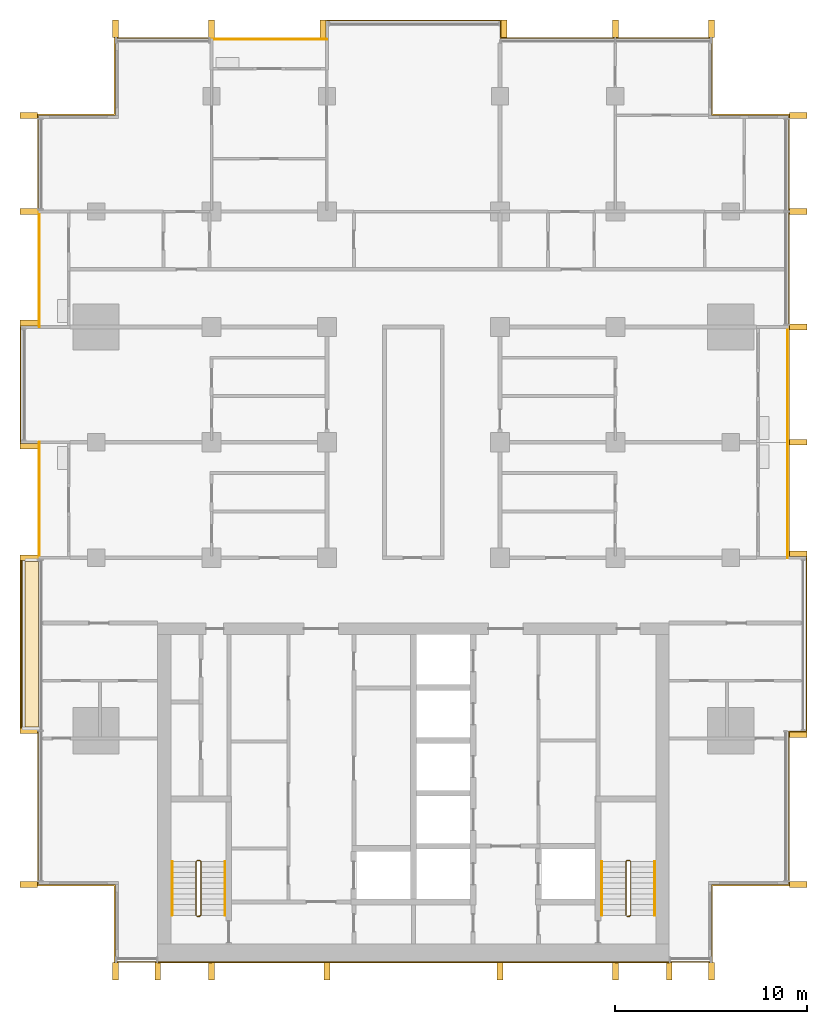
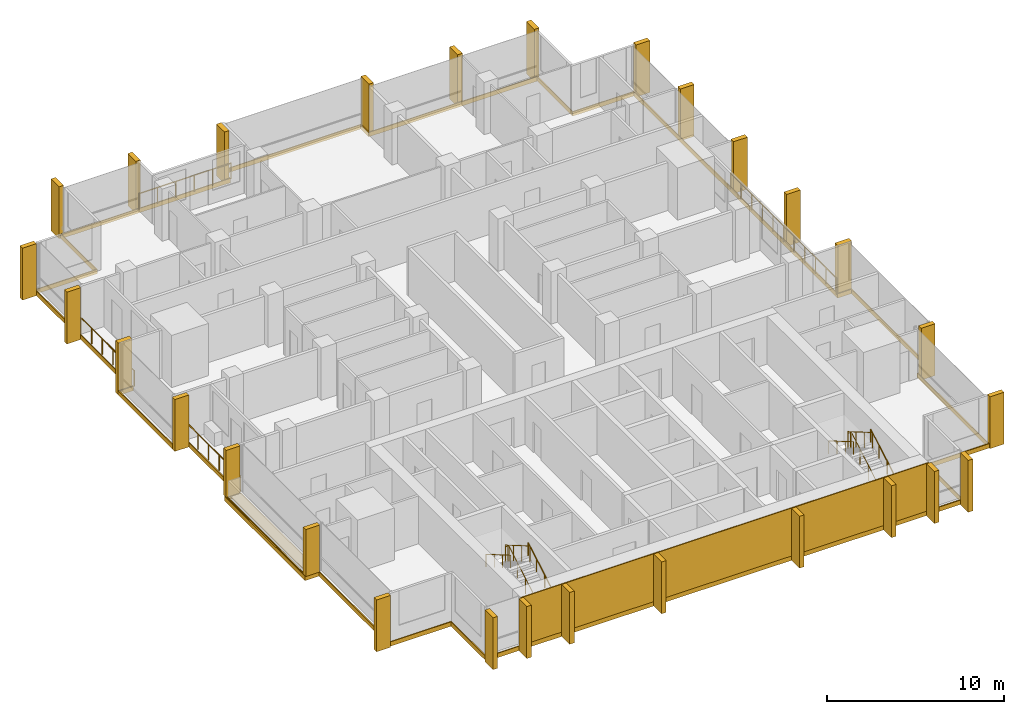
# One storey, part 17 of 17: 28 shading devices, 11 railings, 8 coverings.
"""IFC4 building model written with IfcOpenShell, lengths in metres."""

import ifcopenshell
import ifcopenshell.guid

model = None  # the IFC model being written
_history = None  # IfcOwnerHistory: only IFC2X3 demands one
_inside = {}  # id of a spatial element -> (the spatial element, [elements in it])
_under = {}  # id of a project, library or spatial element -> (it, [spatial elements below it])
_declared = {}  # id of a project -> (the project, [libraries it declares])
_typed = {}  # id of a type object -> (the type object, [elements of that type])
_made_of = {}  # id of a material, layer set ... -> (it, [elements and type objects made of it])


def new_model(schema):
    """Start an empty IFC model of exactly this schema.

    Asked for "IFC4X3", IfcOpenShell would pick the latest addendum, in which some entities
    have other attributes; the version numbers below select the first issue.
    IFC2X3 requires an IfcOwnerHistory on every rooted entity: one is made here for all.
    """
    global model, _history
    if schema == "IFC4X3":
        model = ifcopenshell.file(schema_version=(4, 3, 0, 0))
    else:
        model = ifcopenshell.file(schema=schema)
    _inside.clear()
    _under.clear()
    _declared.clear()
    _typed.clear()
    _made_of.clear()
    _history = None
    if model.schema == "IFC2X3":
        org = make("IfcOrganization", Name="unknown")
        user = make(
            "IfcPersonAndOrganization",
            ThePerson=make("IfcPerson", FamilyName="unknown"),
            TheOrganization=org,
        )
        app = make(
            "IfcApplication",
            ApplicationDeveloper=org,
            Version="unknown",
            ApplicationFullName="unknown",
            ApplicationIdentifier="unknown",
        )
        _history = make(
            "IfcOwnerHistory",
            OwningUser=user,
            OwningApplication=app,
            ChangeAction="ADDED",
            CreationDate=0,
        )
    return model


def make(cls, **values):
    """One entity of the class cls with the attributes given. An attribute that is None is left unset."""
    return model.create_entity(
        cls, **{name: value for name, value in values.items() if value is not None}
    )


def rooted(cls, **values):
    """An entity with a GlobalId (a new one), such as an element, a storey or a relation."""
    return make(cls, GlobalId=ifcopenshell.guid.new(), OwnerHistory=_history, **values)


def si_unit(unit_type, name, prefix=None):
    """IfcSIUnit, for example si_unit("LENGTHUNIT", "METRE", prefix="MILLI")."""
    return make("IfcSIUnit", UnitType=unit_type, Prefix=prefix, Name=name)


def assignment(units):
    """IfcUnitAssignment: the units of a project."""
    return None if units is None else make("IfcUnitAssignment", Units=units)


def point(xyz):
    """IfcCartesianPoint."""
    return None if xyz is None else make("IfcCartesianPoint", Coordinates=xyz)


def direction(xyz):
    """IfcDirection."""
    return None if xyz is None else make("IfcDirection", DirectionRatios=xyz)


def frame(location, z_axis=None, x_axis=None):
    """IfcAxis2Placement3D, a coordinate frame: its origin and axes. An axis left out is left unset."""
    return make(
        "IfcAxis2Placement3D",
        Location=point(location),
        Axis=direction(z_axis),
        RefDirection=direction(x_axis),
    )


def frame_2d(location, x_axis=None):
    """IfcAxis2Placement2D, a coordinate frame in the plane: its origin and x axis."""
    return make(
        "IfcAxis2Placement2D", Location=point(location), RefDirection=direction(x_axis)
    )


def origin():
    """The frame at (0, 0, 0) with its axes left unset."""
    return frame((0.0, 0.0, 0.0))


def origin_2d():
    """The frame at (0, 0) in the plane with its x axis left unset."""
    return frame_2d((0.0, 0.0))


def place(relative_to, where):
    """IfcLocalPlacement: puts the frame where relative to a parent placement (None: the world)."""
    return make(
        "IfcLocalPlacement", PlacementRelTo=relative_to, RelativePlacement=where
    )


def context(
    kind, dimensions, precision=None, world=None, true_north=None, identifier=None
):
    """IfcGeometricRepresentationContext, for example the 3D "Model" context."""
    return make(
        "IfcGeometricRepresentationContext",
        ContextIdentifier=identifier,
        ContextType=kind,
        CoordinateSpaceDimension=dimensions,
        Precision=precision,
        WorldCoordinateSystem=world,
        TrueNorth=true_north,
    )


def subcontext(parent, identifier, kind, view, scale=None):
    """IfcGeometricRepresentationSubContext, for example "Body" below "Model"."""
    return make(
        "IfcGeometricRepresentationSubContext",
        ContextIdentifier=identifier,
        ContextType=kind,
        ParentContext=parent,
        TargetScale=scale,
        TargetView=view,
    )


def project(units=None, contexts=None):
    """IfcProject with its units and contexts."""
    return rooted(
        "IfcProject",
        Name="project",
        RepresentationContexts=contexts,
        UnitsInContext=assignment(units),
    )


def spatial(cls, under=None, at=None, **own):
    """A site, building, storey or space (cls), placed at a placement, below another one or the project."""
    s = rooted(cls, ObjectPlacement=at, **own)
    if under is not None:
        _under.setdefault(under.id(), (under, []))[1].append(s)
    return s


def polyline(points):
    """IfcPolyline through the points."""
    return make("IfcPolyline", Points=[point(p) for p in points])


def profile(cls, at=None, kind="AREA", **sizes):
    """A parametric profile (cls). Its sizes go by their IFC names, for example OverallWidth=200.0."""
    return make(cls, ProfileType=kind, Position=at, **sizes)


def rectangle(**sizes):
    """IfcRectangleProfileDef."""
    return profile("IfcRectangleProfileDef", **sizes)


def circle(**sizes):
    """IfcCircleProfileDef."""
    return profile("IfcCircleProfileDef", **sizes)


def outline(outer, holes=None, kind="AREA"):
    """IfcArbitraryClosedProfileDef: a profile drawn as a closed curve; with holes, ...WithVoids."""
    if holes is None:
        return make("IfcArbitraryClosedProfileDef", ProfileType=kind, OuterCurve=outer)
    return make(
        "IfcArbitraryProfileDefWithVoids",
        ProfileType=kind,
        OuterCurve=outer,
        InnerCurves=holes,
    )


def extrude(swept, where, along, depth):
    """IfcExtrudedAreaSolid: the profile swept, set in the frame where, extruded along a direction by depth."""
    return make(
        "IfcExtrudedAreaSolid",
        SweptArea=swept,
        Position=where,
        ExtrudedDirection=direction(along),
        Depth=depth,
    )


def shape(context_of_items, identifier, shape_type, items):
    """IfcShapeRepresentation: the items that make up one representation, for example the "Body"."""
    return make(
        "IfcShapeRepresentation",
        ContextOfItems=context_of_items,
        RepresentationIdentifier=identifier,
        RepresentationType=shape_type,
        Items=items,
    )


def material(Name=None, Category=None):
    """IfcMaterial."""
    return make("IfcMaterial", Name=Name, Category=Category)


def layer(
    of_material, thickness, ventilated=None, Name=None, Category=None, Priority=None
):
    """IfcMaterialLayer: one layer of a wall or slab, of a material (None: an air gap)."""
    return make(
        "IfcMaterialLayer",
        Material=of_material,
        LayerThickness=thickness,
        IsVentilated=ventilated,
        Name=Name,
        Category=Category,
        Priority=Priority,
    )


def layer_set(layers, Name=None):
    """IfcMaterialLayerSet."""
    return make("IfcMaterialLayerSet", MaterialLayers=layers, LayerSetName=Name)


def made_of(thing, what):
    """Note that an element or type object is made of a material, layer set ...; save() writes the relation."""
    if what is not None:
        _made_of.setdefault(what.id(), (what, []))[1].append(thing)
    return thing


def type_object(cls, material=None, **own):
    """A type object (cls), such as IfcWallType, which elements share."""
    return made_of(rooted(cls, **own), material)


def element(
    cls,
    number,
    at=None,
    inside=None,
    cuts=None,
    type_object=None,
    material=None,
    context=None,
    identifier="Body",
    shape_type=None,
    held_by="IfcProductDefinitionShape",
    body=None,
    shapes=None,
    **own,
):
    """One element of the class cls, such as IfcWall. Its Tag is "e" and its number.

    at: its placement. inside: the storey or other place that contains it. cuts: it is an
    opening in that element (IfcRelVoidsElement). A single representation is given by context,
    identifier, shape_type and body (its items); several are given by shapes. held_by: the class
    of the entity that holds the representations. save() writes the other relations.
    """
    e = rooted(cls, Tag="e%d" % number, ObjectPlacement=at, **own)
    if body is not None:
        shapes = [shape(context, identifier, shape_type, body)]
    if shapes is not None:
        e.Representation = make(held_by, Representations=shapes)
    if inside is not None:
        _inside.setdefault(inside.id(), (inside, []))[1].append(e)
    if cuts is not None:
        rooted(
            "IfcRelVoidsElement", RelatingBuildingElement=cuts, RelatedOpeningElement=e
        )
    if type_object is not None:
        _typed.setdefault(type_object.id(), (type_object, []))[1].append(e)
    return made_of(e, material)


def aggregate(whole, parts):
    """IfcRelAggregates: a whole, such as a stair, and the parts it consists of."""
    return rooted("IfcRelAggregates", RelatingObject=whole, RelatedObjects=parts)


def save(model, path):
    """Write the relations noted so far, then the file.

    IfcRelAggregates (storeys below a building ...), IfcRelContainedInSpatialStructure (elements
    in a storey), IfcRelDefinesByType, IfcRelAssociatesMaterial and IfcRelDeclares: one each for
    every whole, place, type object, material and project.
    """
    for whole, parts in _under.values():
        aggregate(whole, parts)
    for where, things in _inside.values():
        rooted(
            "IfcRelContainedInSpatialStructure",
            RelatedElements=things,
            RelatingStructure=where,
        )
    for kind, things in _typed.values():
        rooted("IfcRelDefinesByType", RelatedObjects=things, RelatingType=kind)
    for what, things in _made_of.values():
        rooted("IfcRelAssociatesMaterial", RelatedObjects=things, RelatingMaterial=what)
    for by, libraries in _declared.values():
        rooted("IfcRelDeclares", RelatingContext=by, RelatedDefinitions=libraries)
    model.write(path)


model = new_model("IFC4")

# Units and contexts
model_context = context("Model", 3, precision=1e-05, world=origin(), true_north=direction((0.0, 1.0)))
body_context = subcontext(model_context, "Body", "Model", "MODEL_VIEW")
ifc_project = project(units=[si_unit("LENGTHUNIT", "METRE"), si_unit("AREAUNIT", "SQUARE_METRE"), si_unit("VOLUMEUNIT", "CUBIC_METRE"), si_unit("PLANEANGLEUNIT", "RADIAN"), si_unit("MASSUNIT", "GRAM", prefix="KILO")], contexts=[model_context])

# Site, building, storey
site_placement = place(None, origin())
site = spatial("IfcSite", under=ifc_project, at=site_placement, CompositionType="ELEMENT")
building_placement = place(site_placement, origin())
building = spatial("IfcBuilding", under=site, at=building_placement, Name="Finial Court Residences", CompositionType="ELEMENT")
storey_placement = place(building_placement, frame((0.0, 0.0, 167.300048828125)))
storey = spatial("IfcBuildingStorey", under=building, at=storey_placement, Name="L41", CompositionType="ELEMENT", Elevation=167.300048828125)

# Railings
ifc_material_1 = material(Name="Bronze anodised aluminium", Category="aluminium")
railing_type_1 = type_object("IfcRailingType", Name="Balcony guard 1100", PredefinedType="GUARDRAIL", material=ifc_material_1)
railing_1_placement = place(storey_placement, frame((-10.5, 22.449951171875, 0.0)))
element("IfcRailing", 1, at=railing_1_placement, inside=storey, type_object=railing_type_1, Name="E-L41-BALN2-R", PredefinedType="GUARDRAIL", context=body_context, shape_type="SweptSolid", body=[
    extrude(circle(Radius=0.02392578125, at=origin_2d()), frame((0.0, 0.0, 1.076171875), z_axis=(1.0, 0.0, 0.0), x_axis=(0.0, 1.0, 0.0)), (0.0, 0.0, 1.0), 6.0),
    extrude(circle(Radius=0.02099609375, at=origin_2d()), origin(), (0.0, 0.0, 1.0), 1.052001953125),
    extrude(circle(Radius=0.02099609375, at=origin_2d()), frame((1.199951171875, 0.0, 0.0)), (0.0, 0.0, 1.0), 1.052001953125),
    extrude(circle(Radius=0.02099609375, at=origin_2d()), frame((2.39990234375, 0.0, 0.0)), (0.0, 0.0, 1.0), 1.052001953125),
    extrude(circle(Radius=0.02099609375, at=origin_2d()), frame((3.60009765625, 0.0, 0.0)), (0.0, 0.0, 1.0), 1.052001953125),
    extrude(circle(Radius=0.02099609375, at=origin_2d()), frame((4.800048828125, 0.0, 0.0)), (0.0, 0.0, 1.0), 1.052001953125),
    extrude(circle(Radius=0.02099609375, at=origin_2d()), frame((6.0, 0.0, 0.0)), (0.0, 0.0, 1.0), 1.052001953125),
])
for number, where, name in (
    (2, (19.449951171875, -4.5, 0.0), "E-L41-BALE3-R"),
    (3, (19.449951171875, 1.5, 0.0), "E-L41-BALE4-R"),
    (4, (-19.449951171875, -4.5, 0.0), "E-L41-BALW3-R"),
    (5, (-19.449951171875, 7.5, 0.0), "E-L41-BALW5-R"),
):
    element("IfcRailing", number, at=place(storey_placement, frame(where)), inside=storey, type_object=railing_type_1, Name=name, PredefinedType="GUARDRAIL", context=body_context, shape_type="SweptSolid", body=[
        extrude(circle(Radius=0.02392578125, at=origin_2d()), frame((0.0, 0.0, 1.076171875), z_axis=(0.0, 1.0, 0.0), x_axis=(-1.0, 0.0, 0.0)), (0.0, 0.0, 1.0), 6.0),
        extrude(circle(Radius=0.02099609375, at=origin_2d()), origin(), (0.0, 0.0, 1.0), 1.052001953125),
        extrude(circle(Radius=0.02099609375, at=origin_2d()), frame((0.0, 1.199951171875, 0.0)), (0.0, 0.0, 1.0), 1.052001953125),
        extrude(circle(Radius=0.02099609375, at=origin_2d()), frame((0.0, 2.39990234375, 0.0)), (0.0, 0.0, 1.0), 1.052001953125),
        extrude(circle(Radius=0.02099609375, at=origin_2d()), frame((0.0, 3.60009765625, 0.0)), (0.0, 0.0, 1.0), 1.052001953125),
        extrude(circle(Radius=0.02099609375, at=origin_2d()), frame((0.0, 4.800048828125, 0.0)), (0.0, 0.0, 1.0), 1.052001953125),
        extrude(circle(Radius=0.02099609375, at=origin_2d()), frame((0.0, 6.0, 0.0)), (0.0, 0.0, 1.0), 1.052001953125),
    ])

# Coverings
ifc_material_2 = material(Name="Natural limestone", Category="masonry")
ifc_layer_1 = layer(ifc_material_2, 0.06005859375)
ifc_layer_set_1 = layer_set([ifc_layer_1], Name="Limestone cladding to the blind core face 60")
covering_type_1 = type_object("IfcCoveringType", Name="Limestone cladding to the blind core face 60", PredefinedType="CLADDING", material=ifc_layer_set_1)
covering_1_placement = place(storey_placement, origin())
element("IfcCovering", 6, at=covering_1_placement, inside=storey, type_object=covering_type_1, Name="E-L41-CLAD1", PredefinedType="CLADDING", context=body_context, shape_type="SweptSolid", body=[
    extrude(outline(polyline([(-10.5, -25.56005859375), (-10.5, -25.5), (-13.300048828125, -25.5), (-13.300048828125, -25.56005859375), (-10.5, -25.56005859375)])), origin(), (0.0, 0.0, 1.0), 3.300048828125),
])
covering_2_placement = place(storey_placement, origin())
element("IfcCovering", 7, at=covering_2_placement, inside=storey, type_object=covering_type_1, Name="E-L41-CLAD2", PredefinedType="CLADDING", context=body_context, shape_type="SweptSolid", body=[
    extrude(outline(polyline([(-4.5, -25.56005859375), (-4.5, -25.5), (-10.5, -25.5), (-10.5, -25.56005859375), (-4.5, -25.56005859375)])), origin(), (0.0, 0.0, 1.0), 3.300048828125),
])
covering_3_placement = place(storey_placement, origin())
element("IfcCovering", 8, at=covering_3_placement, inside=storey, type_object=covering_type_1, Name="E-L41-CLAD3", PredefinedType="CLADDING", context=body_context, shape_type="SweptSolid", body=[
    extrude(outline(polyline([(4.5, -25.56005859375), (4.5, -25.5), (-4.5, -25.5), (-4.5, -25.56005859375), (4.5, -25.56005859375)])), origin(), (0.0, 0.0, 1.0), 3.300048828125),
])
covering_4_placement = place(storey_placement, origin())
element("IfcCovering", 9, at=covering_4_placement, inside=storey, type_object=covering_type_1, Name="E-L41-CLAD4", PredefinedType="CLADDING", context=body_context, shape_type="SweptSolid", body=[
    extrude(outline(polyline([(10.5, -25.56005859375), (10.5, -25.5), (4.5, -25.5), (4.5, -25.56005859375), (10.5, -25.56005859375)])), origin(), (0.0, 0.0, 1.0), 3.300048828125),
])
covering_5_placement = place(storey_placement, origin())
element("IfcCovering", 10, at=covering_5_placement, inside=storey, type_object=covering_type_1, Name="E-L41-CLAD5", PredefinedType="CLADDING", context=body_context, shape_type="SweptSolid", body=[
    extrude(outline(polyline([(13.300048828125, -25.56005859375), (13.300048828125, -25.5), (10.5, -25.5), (10.5, -25.56005859375), (13.300048828125, -25.56005859375)])), origin(), (0.0, 0.0, 1.0), 3.300048828125),
])

# Shading devices
shading_device_type = type_object("IfcShadingDeviceType", Name="Limestone fin 300 x 900", PredefinedType="USERDEFINED", material=ifc_material_2)
for number, where, z_axis, x_axis, name in (
    (11, (-15.5, 23.010009765625, -0.300048828125), (0.0, 0.0, 1.0), (1.0, 0.0, 0.0), "E-L41-FIN-N1"),
    (12, (-10.5, 23.010009765625, -0.300048828125), (0.0, 0.0, 1.0), (1.0, 0.0, 0.0), "E-L41-FIN-N2"),
    (13, (-4.7099609375, 23.010009765625, -0.300048828125), (0.0, 0.0, 1.0), (1.0, 0.0, 0.0), "E-L41-FIN-N3"),
    (14, (4.7099609375, 23.010009765625, -0.300048828125), (0.0, 0.0, 1.0), (1.0, 0.0, 0.0), "E-L41-FIN-N4"),
    (15, (10.5, 23.010009765625, -0.300048828125), (0.0, 0.0, 1.0), (1.0, 0.0, 0.0), "E-L41-FIN-N5"),
    (16, (15.5, 23.010009765625, -0.300048828125), (0.0, 0.0, 1.0), (1.0, 0.0, 0.0), "E-L41-FIN-N6"),
):
    element("IfcShadingDevice", number, at=place(storey_placement, frame(where, z_axis=z_axis, x_axis=x_axis)), inside=storey, type_object=shading_device_type, Name=name, ObjectType="FIN", PredefinedType="USERDEFINED", context=body_context, shape_type="SweptSolid", body=[
        extrude(rectangle(XDim=0.300048828125, YDim=0.89990234375, at=origin_2d()), origin(), (0.0, 0.0, 1.0), 3.580078125),
    ])
for number, where, z_axis, x_axis, name in (
    (17, (20.010009765625, -21.5, -0.300048828125), (0.0, 0.0, 1.0), (1.0, 0.0, 0.0), "E-L41-FIN-E7"),
    (18, (20.010009765625, -13.7099609375, -0.300048828125), (0.0, 0.0, 1.0), (1.0, 0.0, 0.0), "E-L41-FIN-E8"),
    (19, (20.010009765625, -4.2900390625, -0.300048828125), (0.0, 0.0, 1.0), (1.0, 0.0, 0.0), "E-L41-FIN-E9"),
    (20, (20.010009765625, 1.5, -0.300048828125), (0.0, 0.0, 1.0), (1.0, 0.0, 0.0), "E-L41-FIN-E10"),
    (21, (20.010009765625, 7.5, -0.300048828125), (0.0, 0.0, 1.0), (1.0, 0.0, 0.0), "E-L41-FIN-E11"),
    (22, (20.010009765625, 13.5, -0.300048828125), (0.0, 0.0, 1.0), (1.0, 0.0, 0.0), "E-L41-FIN-E12"),
    (23, (20.010009765625, 18.5, -0.300048828125), (0.0, 0.0, 1.0), (1.0, 0.0, 0.0), "E-L41-FIN-E13"),
):
    element("IfcShadingDevice", number, at=place(storey_placement, frame(where, z_axis=z_axis, x_axis=x_axis)), inside=storey, type_object=shading_device_type, Name=name, ObjectType="FIN", PredefinedType="USERDEFINED", context=body_context, shape_type="SweptSolid", body=[
        extrude(rectangle(XDim=0.89990234375, YDim=0.300048828125, at=origin_2d()), origin(), (0.0, 0.0, 1.0), 3.580078125),
    ])
for number, where, z_axis, x_axis, name in (
    (24, (-15.5, -26.010009765625, -0.300048828125), (0.0, 0.0, 1.0), (1.0, 0.0, 0.0), "E-L41-FIN-S14"),
    (25, (-13.300048828125, -26.010009765625, -0.300048828125), (0.0, 0.0, 1.0), (1.0, 0.0, 0.0), "E-L41-FIN-S15"),
    (26, (-10.5, -26.010009765625, -0.300048828125), (0.0, 0.0, 1.0), (1.0, 0.0, 0.0), "E-L41-FIN-S16"),
    (27, (-4.5, -26.010009765625, -0.300048828125), (0.0, 0.0, 1.0), (1.0, 0.0, 0.0), "E-L41-FIN-S17"),
    (28, (4.5, -26.010009765625, -0.300048828125), (0.0, 0.0, 1.0), (1.0, 0.0, 0.0), "E-L41-FIN-S18"),
    (29, (10.5, -26.010009765625, -0.300048828125), (0.0, 0.0, 1.0), (1.0, 0.0, 0.0), "E-L41-FIN-S19"),
    (30, (13.300048828125, -26.010009765625, -0.300048828125), (0.0, 0.0, 1.0), (1.0, 0.0, 0.0), "E-L41-FIN-S20"),
    (31, (15.5, -26.010009765625, -0.300048828125), (0.0, 0.0, 1.0), (1.0, 0.0, 0.0), "E-L41-FIN-S21"),
):
    element("IfcShadingDevice", number, at=place(storey_placement, frame(where, z_axis=z_axis, x_axis=x_axis)), inside=storey, type_object=shading_device_type, Name=name, ObjectType="FIN", PredefinedType="USERDEFINED", context=body_context, shape_type="SweptSolid", body=[
        extrude(rectangle(XDim=0.300048828125, YDim=0.89990234375, at=origin_2d()), origin(), (0.0, 0.0, 1.0), 3.580078125),
    ])
shading_device_placement = place(storey_placement, frame((-20.010009765625, -21.5, -0.300048828125), z_axis=(0.0, 0.0, 1.0), x_axis=(1.0, 0.0, 0.0)))
element("IfcShadingDevice", 32, at=shading_device_placement, inside=storey, type_object=shading_device_type, Name="E-L41-FIN-W22", ObjectType="FIN", PredefinedType="USERDEFINED", context=body_context, shape_type="SweptSolid", body=[
    extrude(rectangle(XDim=0.89990234375, YDim=0.300048828125, at=origin_2d()), origin(), (0.0, 0.0, 1.0), 3.580078125),
])
for number, where, z_axis, x_axis, name in (
    (33, (-20.010009765625, -13.5, 0.0400390625), (0.0, 0.0, 1.0), (1.0, 0.0, 0.0), "E-L41-FIN-W23"),
    (34, (-20.010009765625, -4.5, 0.0400390625), (0.0, 0.0, 1.0), (1.0, 0.0, 0.0), "E-L41-FIN-W24"),
):
    element("IfcShadingDevice", number, at=place(storey_placement, frame(where, z_axis=z_axis, x_axis=x_axis)), inside=storey, type_object=shading_device_type, Name=name, ObjectType="FIN", PredefinedType="USERDEFINED", context=body_context, shape_type="SweptSolid", body=[
        extrude(rectangle(XDim=0.89990234375, YDim=0.300048828125, at=origin_2d()), origin(), (0.0, 0.0, 1.0), 3.239990234375),
    ])
for number, where, z_axis, x_axis, name in (
    (35, (-20.010009765625, 1.2900390625, -0.300048828125), (0.0, 0.0, 1.0), (1.0, 0.0, 0.0), "E-L41-FIN-W25"),
    (36, (-20.010009765625, 7.7099609375, -0.300048828125), (0.0, 0.0, 1.0), (1.0, 0.0, 0.0), "E-L41-FIN-W26"),
    (37, (-20.010009765625, 13.5, -0.300048828125), (0.0, 0.0, 1.0), (1.0, 0.0, 0.0), "E-L41-FIN-W27"),
    (38, (-20.010009765625, 18.5, -0.300048828125), (0.0, 0.0, 1.0), (1.0, 0.0, 0.0), "E-L41-FIN-W28"),
):
    element("IfcShadingDevice", number, at=place(storey_placement, frame(where, z_axis=z_axis, x_axis=x_axis)), inside=storey, type_object=shading_device_type, Name=name, ObjectType="FIN", PredefinedType="USERDEFINED", context=body_context, shape_type="SweptSolid", body=[
        extrude(rectangle(XDim=0.89990234375, YDim=0.300048828125, at=origin_2d()), origin(), (0.0, 0.0, 1.0), 3.580078125),
    ])

# Coverings
ifc_material_3 = material(Name="Pale limestone", Category="masonry")
ifc_layer_2 = layer(ifc_material_3, 0.06005859375)
ifc_layer_set_2 = layer_set([ifc_layer_2], Name="Pale limestone slab-edge band 60")
covering_type_2 = type_object("IfcCoveringType", Name="Pale limestone slab-edge band 60", PredefinedType="CLADDING", material=ifc_layer_set_2)
covering_6_placement = place(storey_placement, frame((0.0, 0.0, -0.300048828125)))
element("IfcCovering", 39, at=covering_6_placement, inside=storey, type_object=covering_type_2, Name="E-L41-BAND1", PredefinedType="CLADDING", context=body_context, shape_type="SweptSolid", body=[
    extrude(outline(polyline([(-20.4599609375, -4.43994140625), (-19.56005859375, -4.43994140625), (-19.56005859375, 1.43994140625), (-20.4599609375, 1.43994140625), (-20.4599609375, 7.56005859375), (-19.56005859375, 7.56005859375), (-19.56005859375, 18.56005859375), (-15.56005859375, 18.56005859375), (-15.56005859375, 22.56005859375), (-4.56005859375, 22.56005859375), (-4.56005859375, 23.4599609375), (4.56005859375, 23.4599609375), (4.56005859375, 22.56005859375), (15.56005859375, 22.56005859375), (15.56005859375, 18.56005859375), (19.56005859375, 18.56005859375), (19.56005859375, -4.43994140625), (20.4599609375, -4.43994140625), (20.4599609375, -13.56005859375), (19.56005859375, -13.56005859375), (19.56005859375, -21.56005859375), (15.56005859375, -21.56005859375), (15.56005859375, -25.56005859375), (-15.56005859375, -25.56005859375), (-15.56005859375, -21.56005859375), (-19.56005859375, -21.56005859375), (-19.56005859375, -13.56005859375), (-20.4599609375, -13.56005859375), (-20.4599609375, -4.43994140625)]), holes=[polyline([(-19.5, -13.5), (-19.5, -21.5), (-15.5, -21.5), (-15.5, -25.5), (15.5, -25.5), (15.5, -21.5), (19.5, -21.5), (19.5, -13.5), (20.39990234375, -13.5), (20.39990234375, -4.5), (19.5, -4.5), (19.5, 1.5), (19.5, 7.5), (19.5, 18.5), (15.5, 18.5), (15.5, 22.5), (4.5, 22.5), (4.5, 23.39990234375), (-4.5, 23.39990234375), (-4.5, 22.5), (-10.5, 22.5), (-15.5, 22.5), (-15.5, 18.5), (-19.5, 18.5), (-19.5, 13.5), (-19.5, 7.5), (-20.39990234375, 7.5), (-20.39990234375, 1.5), (-19.5, 1.5), (-19.5, -4.5), (-20.39990234375, -4.5), (-20.39990234375, -13.5), (-19.5, -13.5)])]), origin(), (0.0, 0.0, 1.0), 0.300048828125),
])
ifc_material_4 = material(Name="Bitumen membrane")
ifc_layer_3 = layer(ifc_material_4, 0.0400390625)
ifc_layer_set_3 = layer_set([ifc_layer_3], Name="Push box roofing, bitumen membrane 40")
covering_type_3 = type_object("IfcCoveringType", Name="Push box roofing, bitumen membrane 40", PredefinedType="ROOFING", material=ifc_layer_set_3)
covering_7_placement = place(storey_placement, origin())
element("IfcCovering", 40, at=covering_7_placement, inside=storey, type_object=covering_type_3, Name="E-L41-LED1", PredefinedType="ROOFING", context=body_context, shape_type="SweptSolid", body=[
    extrude(outline(polyline([(-19.5, -4.550048828125), (-20.199951171875, -4.550048828125), (-20.35009765625, -4.550048828125), (-20.35009765625, -13.300048828125), (-20.35009765625, -13.300048828125), (-20.35009765625, -13.449951171875), (-19.5, -13.449951171875), (-19.5, -13.5), (-20.39990234375, -13.5), (-20.39990234375, -4.5), (-19.5, -4.5), (-19.5, -4.550048828125)])), origin(), (0.0, 0.0, 1.0), 0.0400390625),
])
covering_8_placement = place(storey_placement, origin())
element("IfcCovering", 41, at=covering_8_placement, inside=storey, type_object=covering_type_3, Name="E-L41-LED1b", PredefinedType="ROOFING", context=body_context, shape_type="SweptSolid", body=[
    extrude(outline(polyline([(-19.5, -13.300048828125), (-20.199951171875, -13.300048828125), (-20.199951171875, -4.699951171875), (-19.5, -4.699951171875), (-19.5, -13.300048828125)])), origin(), (0.0, 0.0, 1.0), 0.0400390625),
])

# Railings
ifc_material_5 = material(Name="Stainless steel railing", Category="steel")
railing_type_2 = type_object("IfcRailingType", Name="Stair guard 1100", PredefinedType="GUARDRAIL", material=ifc_material_5)
railing_2_placement = place(storey_placement, frame((-11.10009765625, -23.14990234375, 0.0)))
element("IfcRailing", 42, at=railing_2_placement, inside=storey, type_object=railing_type_2, Name="L41 ST-1 stair guard 1", PredefinedType="GUARDRAIL", context=body_context, shape_type="SweptSolid", body=[
    extrude(circle(Radius=0.02392578125, at=origin_2d()), frame((0.0, 0.0, 1.076171875), z_axis=(-1.0, 0.0, 0.0), x_axis=(0.0, -1.0, 0.0)), (0.0, 0.0, 1.0), 0.14990234375),
    extrude(circle(Radius=0.02392578125, at=origin_2d()), frame((-0.14990234375, 0.0, 1.076171875), z_axis=(0.760004195007, 0.189305074214, 0.621737253547), x_axis=(-0.241699205484, 0.970351222016, 0.0)), (0.0, 0.0, 1.0), 0.26318359375),
    extrude(circle(Radius=0.02392578125, at=origin_2d()), frame((0.050048828125, 0.0498046875, 1.23974609375), z_axis=(0.0, 0.863360870873, 0.504586966384), x_axis=(-1.0, 0.0, 0.0)), (0.0, 0.0, 1.0), 3.2431640625),
    extrude(circle(Radius=0.02392578125, at=origin_2d()), frame((0.050048828125, 2.849853515625, 2.8759765625), z_axis=(-0.707106781187, 0.707106781187, 0.0), x_axis=(-0.707106781187, -0.707106781187, 0.0)), (0.0, 0.0, 1.0), 0.07080078125),
    extrude(circle(Radius=0.02392578125, at=origin_2d()), frame((0.0, 2.89990234375, 2.8759765625), z_axis=(-1.0, 0.0, 0.0), x_axis=(0.0, -1.0, 0.0)), (0.0, 0.0, 1.0), 0.14990234375),
    extrude(circle(Radius=0.02392578125, at=origin_2d()), frame((-0.14990234375, 2.89990234375, 2.8759765625), z_axis=(-0.280808744504, -0.280808744504, 0.917765164963), x_axis=(0.707106781187, -0.707106781187, 0.0)), (0.0, 0.0, 1.0), 0.17822265625),
    extrude(circle(Radius=0.02392578125, at=origin_2d()), frame((-0.199951171875, 2.849853515625, 3.03955078125), z_axis=(0.0, -0.863393664356, 0.504530851732), x_axis=(1.0, 0.0, 0.0)), (0.0, 0.0, 1.0), 3.2431640625),
    extrude(circle(Radius=0.02099609375, at=origin_2d()), origin(), (0.0, 0.0, 1.0), 1.052001953125),
    extrude(circle(Radius=0.02099609375, at=origin_2d()), frame((-0.14990234375, 0.0, 0.0)), (0.0, 0.0, 1.0), 1.052001953125),
    extrude(circle(Radius=0.02099609375, at=origin_2d()), frame((0.050048828125, 0.0498046875, 0.16357421875)), (0.0, 0.0, 1.0), 1.052001953125),
    extrude(circle(Radius=0.02099609375, at=origin_2d()), frame((0.050048828125, 0.983154296875, 0.708984375)), (0.0, 0.0, 1.0), 1.052001953125),
    extrude(circle(Radius=0.02099609375, at=origin_2d()), frame((0.050048828125, 1.91650390625, 1.254638671875)), (0.0, 0.0, 1.0), 1.052001953125),
    extrude(circle(Radius=0.02099609375, at=origin_2d()), frame((0.050048828125, 2.849853515625, 1.800048828125)), (0.0, 0.0, 1.0), 1.052001953125),
    extrude(circle(Radius=0.02099609375, at=origin_2d()), frame((0.0, 2.89990234375, 1.800048828125)), (0.0, 0.0, 1.0), 1.052001953125),
    extrude(circle(Radius=0.02099609375, at=origin_2d()), frame((-0.14990234375, 2.89990234375, 1.800048828125)), (0.0, 0.0, 1.0), 1.052001953125),
    extrude(circle(Radius=0.02099609375, at=origin_2d()), frame((-0.199951171875, 2.849853515625, 1.963623046875)), (0.0, 0.0, 1.0), 1.052001953125),
    extrude(circle(Radius=0.02099609375, at=origin_2d()), frame((-0.199951171875, 1.91650390625, 2.509033203125)), (0.0, 0.0, 1.0), 1.052001953125),
    extrude(circle(Radius=0.02099609375, at=origin_2d()), frame((-0.199951171875, 0.983154296875, 3.054443359375)), (0.0, 0.0, 1.0), 1.052001953125),
    extrude(circle(Radius=0.02099609375, at=origin_2d()), frame((-0.199951171875, 0.0498046875, 3.599853515625)), (0.0, 0.0, 1.0), 1.052001953125),
])
railing_3_placement = place(storey_placement, frame((11.25, -23.14990234375, 0.0)))
element("IfcRailing", 43, at=railing_3_placement, inside=storey, type_object=railing_type_2, Name="L41 ST-2 stair guard 1", PredefinedType="GUARDRAIL", context=body_context, shape_type="SweptSolid", body=[
    extrude(circle(Radius=0.02392578125, at=origin_2d()), frame((0.0, 0.0, 1.076171875), z_axis=(-1.0, 0.0, 0.0), x_axis=(0.0, -1.0, 0.0)), (0.0, 0.0, 1.0), 0.14990234375),
    extrude(circle(Radius=0.02392578125, at=origin_2d()), frame((-0.14990234375, 0.0, 1.076171875), z_axis=(0.760004195007, 0.189305074214, 0.621737253547), x_axis=(-0.241699205484, 0.970351222016, 0.0)), (0.0, 0.0, 1.0), 0.26318359375),
    extrude(circle(Radius=0.02392578125, at=origin_2d()), frame((0.050048828125, 0.0498046875, 1.23974609375), z_axis=(0.0, 0.863360870873, 0.504586966384), x_axis=(-1.0, 0.0, 0.0)), (0.0, 0.0, 1.0), 3.2431640625),
    extrude(circle(Radius=0.02392578125, at=origin_2d()), frame((0.050048828125, 2.849853515625, 2.8759765625), z_axis=(-0.707106781187, 0.707106781187, 0.0), x_axis=(-0.707106781187, -0.707106781187, 0.0)), (0.0, 0.0, 1.0), 0.07080078125),
    extrude(circle(Radius=0.02392578125, at=origin_2d()), frame((0.0, 2.89990234375, 2.8759765625), z_axis=(-1.0, 0.0, 0.0), x_axis=(0.0, -1.0, 0.0)), (0.0, 0.0, 1.0), 0.14990234375),
    extrude(circle(Radius=0.02392578125, at=origin_2d()), frame((-0.14990234375, 2.89990234375, 2.8759765625), z_axis=(-0.280808744504, -0.280808744504, 0.917765164963), x_axis=(0.707106781187, -0.707106781187, 0.0)), (0.0, 0.0, 1.0), 0.17822265625),
    extrude(circle(Radius=0.02392578125, at=origin_2d()), frame((-0.199951171875, 2.849853515625, 3.03955078125), z_axis=(0.0, -0.863393664356, 0.504530851732), x_axis=(1.0, 0.0, 0.0)), (0.0, 0.0, 1.0), 3.2431640625),
    extrude(circle(Radius=0.02099609375, at=origin_2d()), origin(), (0.0, 0.0, 1.0), 1.052001953125),
    extrude(circle(Radius=0.02099609375, at=origin_2d()), frame((-0.14990234375, 0.0, 0.0)), (0.0, 0.0, 1.0), 1.052001953125),
    extrude(circle(Radius=0.02099609375, at=origin_2d()), frame((0.050048828125, 0.0498046875, 0.16357421875)), (0.0, 0.0, 1.0), 1.052001953125),
    extrude(circle(Radius=0.02099609375, at=origin_2d()), frame((0.050048828125, 0.983154296875, 0.708984375)), (0.0, 0.0, 1.0), 1.052001953125),
    extrude(circle(Radius=0.02099609375, at=origin_2d()), frame((0.050048828125, 1.91650390625, 1.254638671875)), (0.0, 0.0, 1.0), 1.052001953125),
    extrude(circle(Radius=0.02099609375, at=origin_2d()), frame((0.050048828125, 2.849853515625, 1.800048828125)), (0.0, 0.0, 1.0), 1.052001953125),
    extrude(circle(Radius=0.02099609375, at=origin_2d()), frame((0.0, 2.89990234375, 1.800048828125)), (0.0, 0.0, 1.0), 1.052001953125),
    extrude(circle(Radius=0.02099609375, at=origin_2d()), frame((-0.14990234375, 2.89990234375, 1.800048828125)), (0.0, 0.0, 1.0), 1.052001953125),
    extrude(circle(Radius=0.02099609375, at=origin_2d()), frame((-0.199951171875, 2.849853515625, 1.963623046875)), (0.0, 0.0, 1.0), 1.052001953125),
    extrude(circle(Radius=0.02099609375, at=origin_2d()), frame((-0.199951171875, 1.91650390625, 2.509033203125)), (0.0, 0.0, 1.0), 1.052001953125),
    extrude(circle(Radius=0.02099609375, at=origin_2d()), frame((-0.199951171875, 0.983154296875, 3.054443359375)), (0.0, 0.0, 1.0), 1.052001953125),
    extrude(circle(Radius=0.02099609375, at=origin_2d()), frame((-0.199951171875, 0.0498046875, 3.599853515625)), (0.0, 0.0, 1.0), 1.052001953125),
])
railing_type_3 = type_object("IfcRailingType", Name="Stair handrail 900", PredefinedType="HANDRAIL", material=ifc_material_5)
railing_4_placement = place(storey_placement, frame((-9.800048828125, -23.10009765625, 0.16357421875)))
element("IfcRailing", 44, at=railing_4_placement, inside=storey, type_object=railing_type_3, Name="L41 ST-1 stair handrail 1", PredefinedType="HANDRAIL", context=body_context, shape_type="SweptSolid", body=[
    extrude(circle(Radius=0.02392578125, at=origin_2d()), frame((0.0, 0.0, 0.8759765625), z_axis=(0.0, 0.863360870873, 0.504586966384), x_axis=(-1.0, 0.0, 0.0)), (0.0, 0.0, 1.0), 3.2431640625),
    extrude(circle(Radius=0.02099609375, at=origin_2d()), origin(), (0.0, 0.0, 1.0), 0.851806640625),
    extrude(circle(Radius=0.02099609375, at=origin_2d()), frame((0.0, 0.933349609375, 0.54541015625)), (0.0, 0.0, 1.0), 0.851806640625),
    extrude(circle(Radius=0.02099609375, at=origin_2d()), frame((0.0, 1.86669921875, 1.091064453125)), (0.0, 0.0, 1.0), 0.851806640625),
    extrude(circle(Radius=0.02099609375, at=origin_2d()), frame((0.0, 2.800048828125, 1.636474609375)), (0.0, 0.0, 1.0), 0.851806640625),
])
railing_5_placement = place(storey_placement, frame((-12.550048828125, -20.300048828125, 1.963623046875)))
element("IfcRailing", 45, at=railing_5_placement, inside=storey, type_object=railing_type_3, Name="L41 ST-1 stair handrail 2", PredefinedType="HANDRAIL", context=body_context, shape_type="SweptSolid", body=[
    extrude(circle(Radius=0.02392578125, at=origin_2d()), frame((0.0, 0.0, 0.8759765625), z_axis=(0.0, -0.863393664356, 0.504530851732), x_axis=(1.0, 0.0, 0.0)), (0.0, 0.0, 1.0), 3.2431640625),
    extrude(circle(Radius=0.02099609375, at=origin_2d()), origin(), (0.0, 0.0, 1.0), 0.851806640625),
    extrude(circle(Radius=0.02099609375, at=origin_2d()), frame((0.0, -0.933349609375, 0.54541015625)), (0.0, 0.0, 1.0), 0.851806640625),
    extrude(circle(Radius=0.02099609375, at=origin_2d()), frame((0.0, -1.86669921875, 1.0908203125)), (0.0, 0.0, 1.0), 0.851806640625),
    extrude(circle(Radius=0.02099609375, at=origin_2d()), frame((0.0, -2.800048828125, 1.63623046875)), (0.0, 0.0, 1.0), 0.851806640625),
])
railing_6_placement = place(storey_placement, frame((12.550048828125, -23.10009765625, 0.16357421875)))
element("IfcRailing", 46, at=railing_6_placement, inside=storey, type_object=railing_type_3, Name="L41 ST-2 stair handrail 1", PredefinedType="HANDRAIL", context=body_context, shape_type="SweptSolid", body=[
    extrude(circle(Radius=0.02392578125, at=origin_2d()), frame((0.0, 0.0, 0.8759765625), z_axis=(0.0, 0.863360870873, 0.504586966384), x_axis=(-1.0, 0.0, 0.0)), (0.0, 0.0, 1.0), 3.2431640625),
    extrude(circle(Radius=0.02099609375, at=origin_2d()), origin(), (0.0, 0.0, 1.0), 0.851806640625),
    extrude(circle(Radius=0.02099609375, at=origin_2d()), frame((0.0, 0.933349609375, 0.54541015625)), (0.0, 0.0, 1.0), 0.851806640625),
    extrude(circle(Radius=0.02099609375, at=origin_2d()), frame((0.0, 1.86669921875, 1.091064453125)), (0.0, 0.0, 1.0), 0.851806640625),
    extrude(circle(Radius=0.02099609375, at=origin_2d()), frame((0.0, 2.800048828125, 1.636474609375)), (0.0, 0.0, 1.0), 0.851806640625),
])
railing_7_placement = place(storey_placement, frame((9.800048828125, -20.300048828125, 1.963623046875)))
element("IfcRailing", 47, at=railing_7_placement, inside=storey, type_object=railing_type_3, Name="L41 ST-2 stair handrail 2", PredefinedType="HANDRAIL", context=body_context, shape_type="SweptSolid", body=[
    extrude(circle(Radius=0.02392578125, at=origin_2d()), frame((0.0, 0.0, 0.8759765625), z_axis=(0.0, -0.863393664356, 0.504530851732), x_axis=(1.0, 0.0, 0.0)), (0.0, 0.0, 1.0), 3.2431640625),
    extrude(circle(Radius=0.02099609375, at=origin_2d()), origin(), (0.0, 0.0, 1.0), 0.851806640625),
    extrude(circle(Radius=0.02099609375, at=origin_2d()), frame((0.0, -0.933349609375, 0.54541015625)), (0.0, 0.0, 1.0), 0.851806640625),
    extrude(circle(Radius=0.02099609375, at=origin_2d()), frame((0.0, -1.86669921875, 1.0908203125)), (0.0, 0.0, 1.0), 0.851806640625),
    extrude(circle(Radius=0.02099609375, at=origin_2d()), frame((0.0, -2.800048828125, 1.63623046875)), (0.0, 0.0, 1.0), 0.851806640625),
])

save(model, "model.ifc")
